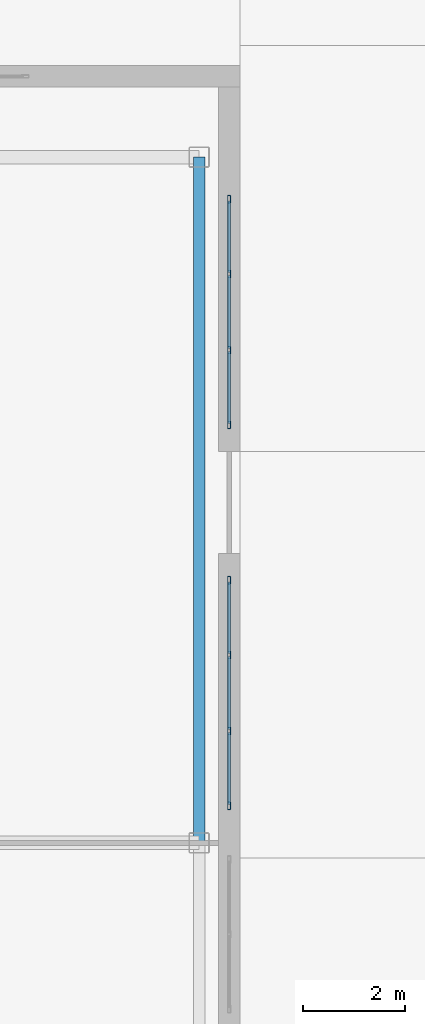
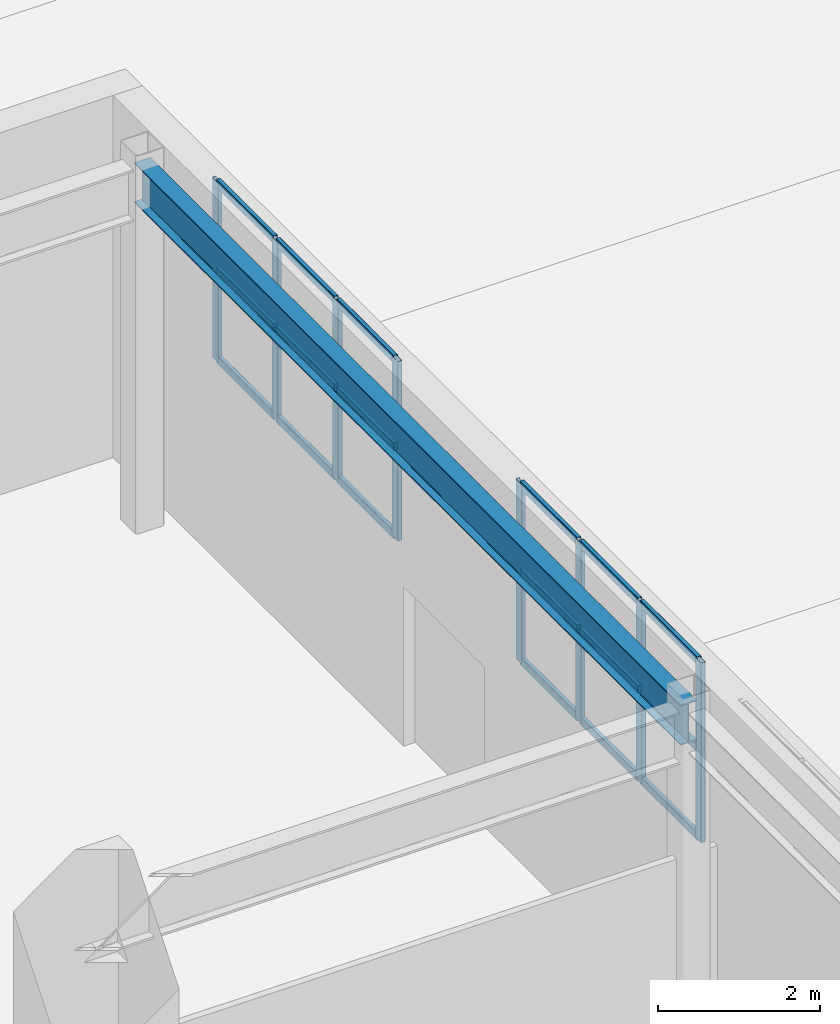
# One storey, part 8 of 18: 26 members, 1 beam, 2 elements without a shape of their own.
"""IFC4 building model written with IfcOpenShell, lengths in metres."""

from ifc_helpers import new_model, entity, si_unit, converted_unit, direction, frame, origin_with_axes, origin_2d_with_axis, place, context, subcontext, project, spatial, hollow_rectangle, i_section, extrude, material, material_profile, profile_set, type_object, element, aggregate, save


model = new_model("IFC4")

# Units and contexts
model_context = context("Model", 3, precision=1e-05, world=origin_with_axes(), true_north=direction((0.0, 1.0)))
body_context = subcontext(model_context, "Body", "Model", "MODEL_VIEW")
ifc_project = project(units=[si_unit("LENGTHUNIT", "METRE"), si_unit("AREAUNIT", "SQUARE_METRE"), si_unit("VOLUMEUNIT", "CUBIC_METRE"), converted_unit("PLANEANGLEUNIT", "DEGREE", entity("IfcPlaneAngleMeasure", 0.017453292519943295), si_unit("PLANEANGLEUNIT", "RADIAN"), dimensions=[0, 0, 0, 0, 0, 0, 0]), si_unit("MASSUNIT", "GRAM", prefix="KILO"), si_unit("THERMODYNAMICTEMPERATUREUNIT", "KELVIN")], contexts=[model_context])

# Site, building, storey
site_placement = place(None, origin_with_axes())
site = spatial("IfcSite", under=ifc_project, at=site_placement, CompositionType="ELEMENT")
building_placement = place(site_placement, origin_with_axes())
building = spatial("IfcBuilding", under=site, at=building_placement, Name="Varnlund Millrace Tower", CompositionType="ELEMENT")
storey_placement = place(building_placement, origin_with_axes())
storey = spatial("IfcBuildingStorey", under=building, at=storey_placement, Name="L00", CompositionType="ELEMENT", Elevation=0.0)

# Beam
ifc_material_1 = material(Name="Steel ASTM A992 Grade 50", Category="steel")
ifc_material_profile_1 = material_profile(ifc_material_1, i_section(OverallWidth=0.228, OverallDepth=0.607, WebThickness=0.0112, FlangeThickness=0.0173, FilletRadius=0.015, at=origin_2d_with_axis()), Name="Steel ASTM A992 Grade 50")
ifc_profile_set_1 = profile_set([ifc_material_profile_1], Name="Steel ASTM A992 Grade 50")
beam_type = type_object("IfcBeamType", Name="Type-Beam-W24X76", PredefinedType="BEAM", material=ifc_profile_set_1)
beam_placement = place(storey_placement, frame((67.6, 24.3, 5.1565), z_axis=(0.0, 1.0, 0.0), x_axis=(-1.0, 0.0, 0.0)))
element("IfcBeam", 1, at=beam_placement, inside=storey, type_object=beam_type, Name="Type-Beam-W24X76", PredefinedType="BEAM", context=body_context, shape_type="SweptSolid", body=[
    extrude(i_section(OverallWidth=0.228, OverallDepth=0.607, WebThickness=0.0112, FlangeThickness=0.0173, FilletRadius=0.015, at=origin_2d_with_axis()), origin_with_axes(), (0.0, 0.0, 1.0), 13.5),
])

# Curtain wall, members
ifc_material_2 = material(Name="Thermally broken architectural bronze curtain wall", Category="aluminium")
curtain_wall_type = type_object("IfcCurtainWallType", Name="Type-CW-Sys1-Concourse", PredefinedType="NOTDEFINED", material=ifc_material_2)
curtain_wall_1_placement = place(storey_placement, frame((68.19, 29.5, 2.75), z_axis=(0.0, 0.0, 1.0), x_axis=(1.0, 0.0, 0.0)))
curtain_wall_1 = element("IfcCurtainWall", 2, at=curtain_wall_1_placement, inside=storey, type_object=curtain_wall_type, Name="Type-CW-Sys1-Concourse", PredefinedType="NOTDEFINED")
ifc_material_3 = material(Name="Architectural bronze aluminium alloy 6063-T6", Category="aluminium")
ifc_material_profile_2 = material_profile(ifc_material_3, hollow_rectangle(XDim=0.06, YDim=0.15, WallThickness=0.004, InnerFilletRadius=0.004, OuterFilletRadius=0.008, at=origin_2d_with_axis()), Name="Architectural bronze aluminium alloy 6063-T6")
ifc_profile_set_2 = profile_set([ifc_material_profile_2], Name="Architectural bronze aluminium alloy 6063-T6")
member_type_1 = type_object("IfcMemberType", Name="Type-CW-Mullion-60X150", PredefinedType="MULLION", material=ifc_profile_set_2)
member_1_placement = place(storey_placement, frame((68.19, 29.47, 2.75), z_axis=(0.0, 0.0, 1.0), x_axis=(1.0, 0.0, 0.0)))
member_1 = element("IfcMember", 3, at=member_1_placement, type_object=member_type_1, Name="CW-01 mullion 1", PredefinedType="MULLION", context=body_context, shape_type="SweptSolid", body=[
    extrude(hollow_rectangle(XDim=0.06, YDim=0.15, WallThickness=0.004, InnerFilletRadius=0.004, OuterFilletRadius=0.008, at=origin_2d_with_axis()), origin_with_axes(), (0.0, 0.0, 1.0), 2.71),
])
member_2_placement = place(storey_placement, frame((68.19, 28.0, 2.75), z_axis=(0.0, 0.0, 1.0), x_axis=(1.0, 0.0, 0.0)))
member_2 = element("IfcMember", 4, at=member_2_placement, type_object=member_type_1, Name="CW-01 mullion 2", PredefinedType="MULLION", context=body_context, shape_type="SweptSolid", body=[
    extrude(hollow_rectangle(XDim=0.06, YDim=0.15, WallThickness=0.004, InnerFilletRadius=0.004, OuterFilletRadius=0.008, at=origin_2d_with_axis()), origin_with_axes(), (0.0, 0.0, 1.0), 2.71),
])
member_3_placement = place(storey_placement, frame((68.19, 26.5, 2.75), z_axis=(0.0, 0.0, 1.0), x_axis=(1.0, 0.0, 0.0)))
member_3 = element("IfcMember", 5, at=member_3_placement, type_object=member_type_1, Name="CW-01 mullion 3", PredefinedType="MULLION", context=body_context, shape_type="SweptSolid", body=[
    extrude(hollow_rectangle(XDim=0.06, YDim=0.15, WallThickness=0.004, InnerFilletRadius=0.004, OuterFilletRadius=0.008, at=origin_2d_with_axis()), origin_with_axes(), (0.0, 0.0, 1.0), 2.71),
])
member_4_placement = place(storey_placement, frame((68.19, 25.03, 2.75), z_axis=(0.0, 0.0, 1.0), x_axis=(1.0, 0.0, 0.0)))
member_4 = element("IfcMember", 6, at=member_4_placement, type_object=member_type_1, Name="CW-01 mullion 4", PredefinedType="MULLION", context=body_context, shape_type="SweptSolid", body=[
    extrude(hollow_rectangle(XDim=0.06, YDim=0.15, WallThickness=0.004, InnerFilletRadius=0.004, OuterFilletRadius=0.008, at=origin_2d_with_axis()), origin_with_axes(), (0.0, 0.0, 1.0), 2.71),
])

curtain_wall_2_placement = place(storey_placement, frame((68.19, 37.0, 2.75), z_axis=(0.0, 0.0, 1.0), x_axis=(1.0, 0.0, 0.0)))
curtain_wall_2 = element("IfcCurtainWall", 7, at=curtain_wall_2_placement, inside=storey, type_object=curtain_wall_type, Name="Type-CW-Sys1-Concourse", PredefinedType="NOTDEFINED")
member_5_placement = place(storey_placement, frame((68.19, 36.97, 2.75), z_axis=(0.0, 0.0, 1.0), x_axis=(1.0, 0.0, 0.0)))
member_5 = element("IfcMember", 8, at=member_5_placement, type_object=member_type_1, Name="CW-01 mullion 1", PredefinedType="MULLION", context=body_context, shape_type="SweptSolid", body=[
    extrude(hollow_rectangle(XDim=0.06, YDim=0.15, WallThickness=0.004, InnerFilletRadius=0.004, OuterFilletRadius=0.008, at=origin_2d_with_axis()), origin_with_axes(), (0.0, 0.0, 1.0), 2.71),
])
member_6_placement = place(storey_placement, frame((68.19, 35.5, 2.75), z_axis=(0.0, 0.0, 1.0), x_axis=(1.0, 0.0, 0.0)))
member_6 = element("IfcMember", 9, at=member_6_placement, type_object=member_type_1, Name="CW-01 mullion 2", PredefinedType="MULLION", context=body_context, shape_type="SweptSolid", body=[
    extrude(hollow_rectangle(XDim=0.06, YDim=0.15, WallThickness=0.004, InnerFilletRadius=0.004, OuterFilletRadius=0.008, at=origin_2d_with_axis()), origin_with_axes(), (0.0, 0.0, 1.0), 2.71),
])
member_7_placement = place(storey_placement, frame((68.19, 34.0, 2.75), z_axis=(0.0, 0.0, 1.0), x_axis=(1.0, 0.0, 0.0)))
member_7 = element("IfcMember", 10, at=member_7_placement, type_object=member_type_1, Name="CW-01 mullion 3", PredefinedType="MULLION", context=body_context, shape_type="SweptSolid", body=[
    extrude(hollow_rectangle(XDim=0.06, YDim=0.15, WallThickness=0.004, InnerFilletRadius=0.004, OuterFilletRadius=0.008, at=origin_2d_with_axis()), origin_with_axes(), (0.0, 0.0, 1.0), 2.71),
])
member_8_placement = place(storey_placement, frame((68.19, 32.53, 2.75), z_axis=(0.0, 0.0, 1.0), x_axis=(1.0, 0.0, 0.0)))
member_8 = element("IfcMember", 11, at=member_8_placement, type_object=member_type_1, Name="CW-01 mullion 4", PredefinedType="MULLION", context=body_context, shape_type="SweptSolid", body=[
    extrude(hollow_rectangle(XDim=0.06, YDim=0.15, WallThickness=0.004, InnerFilletRadius=0.004, OuterFilletRadius=0.008, at=origin_2d_with_axis()), origin_with_axes(), (0.0, 0.0, 1.0), 2.71),
])

# Member
ifc_material_profile_3 = material_profile(ifc_material_3, hollow_rectangle(XDim=0.06, YDim=0.12, WallThickness=0.004, InnerFilletRadius=0.004, OuterFilletRadius=0.008, at=origin_2d_with_axis()), Name="Architectural bronze aluminium alloy 6063-T6")
ifc_profile_set_3 = profile_set([ifc_material_profile_3], Name="Architectural bronze aluminium alloy 6063-T6")
member_type_2 = type_object("IfcMemberType", Name="Type-CW-Transom-60X120", PredefinedType="USERDEFINED", material=ifc_profile_set_3)
member_9_placement = place(storey_placement, frame((68.19, 29.44, 2.78), z_axis=(0.0, -1.0, 0.0), x_axis=(1.0, 0.0, 0.0)))
member_9 = element("IfcMember", 12, at=member_9_placement, type_object=member_type_2, Name="CW-01 transom 1.1", ObjectType="TRANSOM", PredefinedType="USERDEFINED", context=body_context, shape_type="SweptSolid", body=[
    extrude(hollow_rectangle(XDim=0.06, YDim=0.12, WallThickness=0.004, InnerFilletRadius=0.004, OuterFilletRadius=0.008, at=origin_2d_with_axis()), origin_with_axes(), (0.0, 0.0, 1.0), 1.41),
])

member_10_placement = place(storey_placement, frame((68.19, 29.44, 4.105), z_axis=(0.0, -1.0, 0.0), x_axis=(1.0, 0.0, 0.0)))
member_10 = element("IfcMember", 13, at=member_10_placement, type_object=member_type_2, Name="CW-01 transom 1.2", ObjectType="TRANSOM", PredefinedType="USERDEFINED", context=body_context, shape_type="SweptSolid", body=[
    extrude(hollow_rectangle(XDim=0.06, YDim=0.12, WallThickness=0.004, InnerFilletRadius=0.004, OuterFilletRadius=0.008, at=origin_2d_with_axis()), origin_with_axes(), (0.0, 0.0, 1.0), 1.41),
])

member_11_placement = place(storey_placement, frame((68.19, 29.44, 5.43), z_axis=(0.0, -1.0, 0.0), x_axis=(1.0, 0.0, 0.0)))
member_11 = element("IfcMember", 14, at=member_11_placement, type_object=member_type_2, Name="CW-01 transom 1.3", ObjectType="TRANSOM", PredefinedType="USERDEFINED", context=body_context, shape_type="SweptSolid", body=[
    extrude(hollow_rectangle(XDim=0.06, YDim=0.12, WallThickness=0.004, InnerFilletRadius=0.004, OuterFilletRadius=0.008, at=origin_2d_with_axis()), origin_with_axes(), (0.0, 0.0, 1.0), 1.41),
])

member_12_placement = place(storey_placement, frame((68.19, 27.97, 2.78), z_axis=(0.0, -1.0, 0.0), x_axis=(1.0, 0.0, 0.0)))
member_12 = element("IfcMember", 15, at=member_12_placement, type_object=member_type_2, Name="CW-01 transom 2.1", ObjectType="TRANSOM", PredefinedType="USERDEFINED", context=body_context, shape_type="SweptSolid", body=[
    extrude(hollow_rectangle(XDim=0.06, YDim=0.12, WallThickness=0.004, InnerFilletRadius=0.004, OuterFilletRadius=0.008, at=origin_2d_with_axis()), origin_with_axes(), (0.0, 0.0, 1.0), 1.44),
])

member_13_placement = place(storey_placement, frame((68.19, 27.97, 4.105), z_axis=(0.0, -1.0, 0.0), x_axis=(1.0, 0.0, 0.0)))
member_13 = element("IfcMember", 16, at=member_13_placement, type_object=member_type_2, Name="CW-01 transom 2.2", ObjectType="TRANSOM", PredefinedType="USERDEFINED", context=body_context, shape_type="SweptSolid", body=[
    extrude(hollow_rectangle(XDim=0.06, YDim=0.12, WallThickness=0.004, InnerFilletRadius=0.004, OuterFilletRadius=0.008, at=origin_2d_with_axis()), origin_with_axes(), (0.0, 0.0, 1.0), 1.44),
])

member_14_placement = place(storey_placement, frame((68.19, 27.97, 5.43), z_axis=(0.0, -1.0, 0.0), x_axis=(1.0, 0.0, 0.0)))
member_14 = element("IfcMember", 17, at=member_14_placement, type_object=member_type_2, Name="CW-01 transom 2.3", ObjectType="TRANSOM", PredefinedType="USERDEFINED", context=body_context, shape_type="SweptSolid", body=[
    extrude(hollow_rectangle(XDim=0.06, YDim=0.12, WallThickness=0.004, InnerFilletRadius=0.004, OuterFilletRadius=0.008, at=origin_2d_with_axis()), origin_with_axes(), (0.0, 0.0, 1.0), 1.44),
])

member_15_placement = place(storey_placement, frame((68.19, 26.47, 2.78), z_axis=(0.0, -1.0, 0.0), x_axis=(1.0, 0.0, 0.0)))
member_15 = element("IfcMember", 18, at=member_15_placement, type_object=member_type_2, Name="CW-01 transom 3.1", ObjectType="TRANSOM", PredefinedType="USERDEFINED", context=body_context, shape_type="SweptSolid", body=[
    extrude(hollow_rectangle(XDim=0.06, YDim=0.12, WallThickness=0.004, InnerFilletRadius=0.004, OuterFilletRadius=0.008, at=origin_2d_with_axis()), origin_with_axes(), (0.0, 0.0, 1.0), 1.41),
])

member_16_placement = place(storey_placement, frame((68.19, 26.47, 4.105), z_axis=(0.0, -1.0, 0.0), x_axis=(1.0, 0.0, 0.0)))
member_16 = element("IfcMember", 19, at=member_16_placement, type_object=member_type_2, Name="CW-01 transom 3.2", ObjectType="TRANSOM", PredefinedType="USERDEFINED", context=body_context, shape_type="SweptSolid", body=[
    extrude(hollow_rectangle(XDim=0.06, YDim=0.12, WallThickness=0.004, InnerFilletRadius=0.004, OuterFilletRadius=0.008, at=origin_2d_with_axis()), origin_with_axes(), (0.0, 0.0, 1.0), 1.41),
])

member_17_placement = place(storey_placement, frame((68.19, 26.47, 5.43), z_axis=(0.0, -1.0, 0.0), x_axis=(1.0, 0.0, 0.0)))
member_17 = element("IfcMember", 20, at=member_17_placement, type_object=member_type_2, Name="CW-01 transom 3.3", ObjectType="TRANSOM", PredefinedType="USERDEFINED", context=body_context, shape_type="SweptSolid", body=[
    extrude(hollow_rectangle(XDim=0.06, YDim=0.12, WallThickness=0.004, InnerFilletRadius=0.004, OuterFilletRadius=0.008, at=origin_2d_with_axis()), origin_with_axes(), (0.0, 0.0, 1.0), 1.41),
])

aggregate(curtain_wall_1, [member_1, member_2, member_3, member_4, member_9, member_10, member_11, member_12, member_13, member_14, member_15, member_16, member_17])

member_18_placement = place(storey_placement, frame((68.19, 36.94, 2.78), z_axis=(0.0, -1.0, 0.0), x_axis=(1.0, 0.0, 0.0)))
member_18 = element("IfcMember", 21, at=member_18_placement, type_object=member_type_2, Name="CW-01 transom 1.1", ObjectType="TRANSOM", PredefinedType="USERDEFINED", context=body_context, shape_type="SweptSolid", body=[
    extrude(hollow_rectangle(XDim=0.06, YDim=0.12, WallThickness=0.004, InnerFilletRadius=0.004, OuterFilletRadius=0.008, at=origin_2d_with_axis()), origin_with_axes(), (0.0, 0.0, 1.0), 1.41),
])

member_19_placement = place(storey_placement, frame((68.19, 36.94, 4.105), z_axis=(0.0, -1.0, 0.0), x_axis=(1.0, 0.0, 0.0)))
member_19 = element("IfcMember", 22, at=member_19_placement, type_object=member_type_2, Name="CW-01 transom 1.2", ObjectType="TRANSOM", PredefinedType="USERDEFINED", context=body_context, shape_type="SweptSolid", body=[
    extrude(hollow_rectangle(XDim=0.06, YDim=0.12, WallThickness=0.004, InnerFilletRadius=0.004, OuterFilletRadius=0.008, at=origin_2d_with_axis()), origin_with_axes(), (0.0, 0.0, 1.0), 1.41),
])

member_20_placement = place(storey_placement, frame((68.19, 36.94, 5.43), z_axis=(0.0, -1.0, 0.0), x_axis=(1.0, 0.0, 0.0)))
member_20 = element("IfcMember", 23, at=member_20_placement, type_object=member_type_2, Name="CW-01 transom 1.3", ObjectType="TRANSOM", PredefinedType="USERDEFINED", context=body_context, shape_type="SweptSolid", body=[
    extrude(hollow_rectangle(XDim=0.06, YDim=0.12, WallThickness=0.004, InnerFilletRadius=0.004, OuterFilletRadius=0.008, at=origin_2d_with_axis()), origin_with_axes(), (0.0, 0.0, 1.0), 1.41),
])

member_21_placement = place(storey_placement, frame((68.19, 35.47, 2.78), z_axis=(0.0, -1.0, 0.0), x_axis=(1.0, 0.0, 0.0)))
member_21 = element("IfcMember", 24, at=member_21_placement, type_object=member_type_2, Name="CW-01 transom 2.1", ObjectType="TRANSOM", PredefinedType="USERDEFINED", context=body_context, shape_type="SweptSolid", body=[
    extrude(hollow_rectangle(XDim=0.06, YDim=0.12, WallThickness=0.004, InnerFilletRadius=0.004, OuterFilletRadius=0.008, at=origin_2d_with_axis()), origin_with_axes(), (0.0, 0.0, 1.0), 1.44),
])

member_22_placement = place(storey_placement, frame((68.19, 35.47, 4.105), z_axis=(0.0, -1.0, 0.0), x_axis=(1.0, 0.0, 0.0)))
member_22 = element("IfcMember", 25, at=member_22_placement, type_object=member_type_2, Name="CW-01 transom 2.2", ObjectType="TRANSOM", PredefinedType="USERDEFINED", context=body_context, shape_type="SweptSolid", body=[
    extrude(hollow_rectangle(XDim=0.06, YDim=0.12, WallThickness=0.004, InnerFilletRadius=0.004, OuterFilletRadius=0.008, at=origin_2d_with_axis()), origin_with_axes(), (0.0, 0.0, 1.0), 1.44),
])

member_23_placement = place(storey_placement, frame((68.19, 35.47, 5.43), z_axis=(0.0, -1.0, 0.0), x_axis=(1.0, 0.0, 0.0)))
member_23 = element("IfcMember", 26, at=member_23_placement, type_object=member_type_2, Name="CW-01 transom 2.3", ObjectType="TRANSOM", PredefinedType="USERDEFINED", context=body_context, shape_type="SweptSolid", body=[
    extrude(hollow_rectangle(XDim=0.06, YDim=0.12, WallThickness=0.004, InnerFilletRadius=0.004, OuterFilletRadius=0.008, at=origin_2d_with_axis()), origin_with_axes(), (0.0, 0.0, 1.0), 1.44),
])

member_24_placement = place(storey_placement, frame((68.19, 33.97, 2.78), z_axis=(0.0, -1.0, 0.0), x_axis=(1.0, 0.0, 0.0)))
member_24 = element("IfcMember", 27, at=member_24_placement, type_object=member_type_2, Name="CW-01 transom 3.1", ObjectType="TRANSOM", PredefinedType="USERDEFINED", context=body_context, shape_type="SweptSolid", body=[
    extrude(hollow_rectangle(XDim=0.06, YDim=0.12, WallThickness=0.004, InnerFilletRadius=0.004, OuterFilletRadius=0.008, at=origin_2d_with_axis()), origin_with_axes(), (0.0, 0.0, 1.0), 1.41),
])

member_25_placement = place(storey_placement, frame((68.19, 33.97, 4.105), z_axis=(0.0, -1.0, 0.0), x_axis=(1.0, 0.0, 0.0)))
member_25 = element("IfcMember", 28, at=member_25_placement, type_object=member_type_2, Name="CW-01 transom 3.2", ObjectType="TRANSOM", PredefinedType="USERDEFINED", context=body_context, shape_type="SweptSolid", body=[
    extrude(hollow_rectangle(XDim=0.06, YDim=0.12, WallThickness=0.004, InnerFilletRadius=0.004, OuterFilletRadius=0.008, at=origin_2d_with_axis()), origin_with_axes(), (0.0, 0.0, 1.0), 1.41),
])

member_26_placement = place(storey_placement, frame((68.19, 33.97, 5.43), z_axis=(0.0, -1.0, 0.0), x_axis=(1.0, 0.0, 0.0)))
member_26 = element("IfcMember", 29, at=member_26_placement, type_object=member_type_2, Name="CW-01 transom 3.3", ObjectType="TRANSOM", PredefinedType="USERDEFINED", context=body_context, shape_type="SweptSolid", body=[
    extrude(hollow_rectangle(XDim=0.06, YDim=0.12, WallThickness=0.004, InnerFilletRadius=0.004, OuterFilletRadius=0.008, at=origin_2d_with_axis()), origin_with_axes(), (0.0, 0.0, 1.0), 1.41),
])

aggregate(curtain_wall_2, [member_5, member_6, member_7, member_8, member_18, member_19, member_20, member_21, member_22, member_23, member_24, member_25, member_26])

save(model, "model.ifc")
